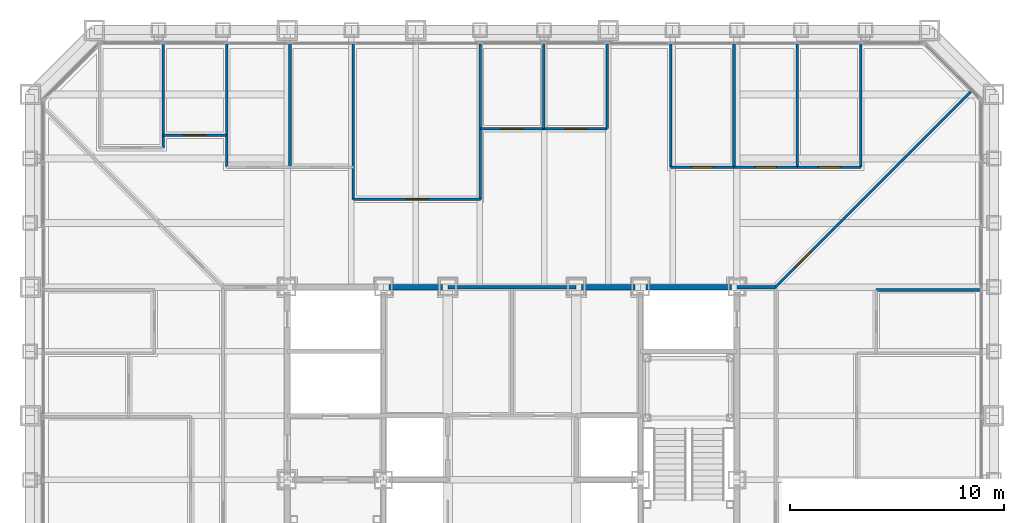
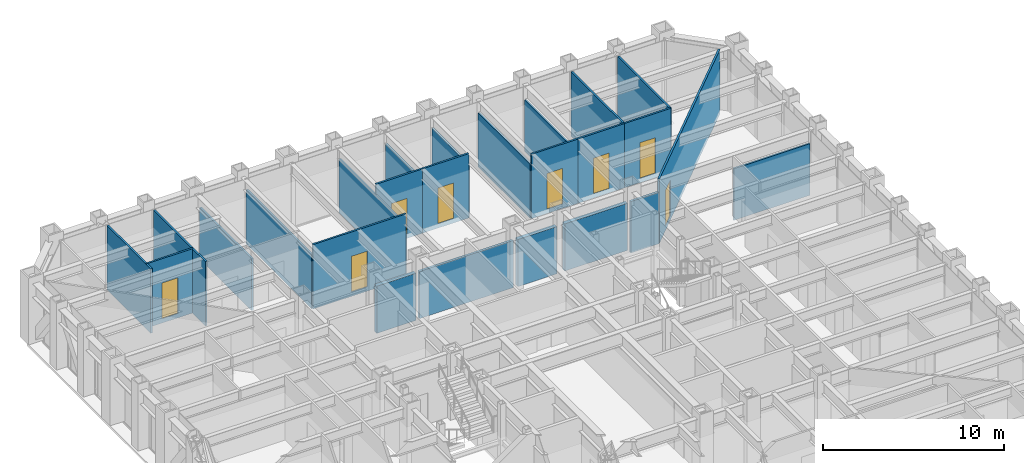
# One storey, part 11 of 17: 25 walls, 8 doors, 8 openings.
"""IFC4 building model written with IfcOpenShell, lengths in metres."""

from ifc_helpers import new_model, si_unit, direction, frame, frame_2d, origin, place, context, subcontext, project, spatial, rectangle, extrude, material, layer, layer_set, type_object, element, fill, save


model = new_model("IFC4")

# Units and contexts
model_context = context("Model", 3, precision=1e-05, world=origin(), true_north=direction((0.0, 1.0)))
body_context = subcontext(model_context, "Body", "Model", "MODEL_VIEW")
ifc_project = project(units=[si_unit("LENGTHUNIT", "METRE"), si_unit("AREAUNIT", "SQUARE_METRE"), si_unit("VOLUMEUNIT", "CUBIC_METRE"), si_unit("PLANEANGLEUNIT", "RADIAN"), si_unit("MASSUNIT", "GRAM", prefix="KILO")], contexts=[model_context])

# Site, building, storey
site_placement = place(None, origin())
site = spatial("IfcSite", under=ifc_project, at=site_placement, CompositionType="ELEMENT")
building_placement = place(site_placement, origin())
building = spatial("IfcBuilding", under=site, at=building_placement, Name="Chuquiago Exchange Tower", CompositionType="ELEMENT")
storey_placement = place(building_placement, frame((0.0, 0.0, 42.300048828125)))
storey = spatial("IfcBuildingStorey", under=building, at=storey_placement, Name="L08", CompositionType="ELEMENT", Elevation=42.300048828125)

# Walls
ifc_material_1 = material(Name="Concrete masonry, fully grouted", Category="masonry")
ifc_layer_1 = layer(ifc_material_1, 0.25)
ifc_layer_set_1 = layer_set([ifc_layer_1], Name="W1 core wall 250")
wall_type_1 = type_object("IfcWallType", Name="W1 core wall 250", PredefinedType="SOLIDWALL", material=ifc_layer_set_1)
for number, where, z_axis, x_axis, name in (
    (1, (16.75, 33.0, 0.0), (0.0, 0.0, 1.0), (1.0, 0.0, 0.0), "CW-L08-11-1"),
    (2, (25.75, 33.0, 0.0), (0.0, 0.0, 1.0), (1.0, 0.0, 0.0), "CW-L08-12-0"),
):
    element("IfcWall", number, at=place(storey_placement, frame(where, z_axis=z_axis, x_axis=x_axis)), inside=storey, type_object=wall_type_1, Name=name, PredefinedType="SOLIDWALL", context=body_context, shape_type="SweptSolid", body=[
        extrude(rectangle(XDim=2.5, YDim=0.25, at=frame_2d((1.25, 0.0))), origin(), (0.0, 0.0, 1.0), 3.181396484375),
    ])
wall_1_placement = place(storey_placement, frame((28.75, 33.0, 0.0), z_axis=(0.0, 0.0, 1.0), x_axis=(1.0, 0.0, 0.0)))
element("IfcWall", 3, at=wall_1_placement, inside=storey, type_object=wall_type_1, Name="CW-L08-12-1", PredefinedType="SOLIDWALL", context=body_context, shape_type="SweptSolid", body=[
    extrude(rectangle(XDim=4.0, YDim=0.25, at=frame_2d((2.0, 0.0))), origin(), (0.0, 0.0, 1.0), 3.181396484375),
])
ifc_material_2 = material(Name="Gypsum board on steel studs, acoustic insulation", Category="steel")
ifc_layer_2 = layer(ifc_material_2, 0.14990234375)
ifc_layer_set_2 = layer_set([ifc_layer_2], Name="W11 corridor wall 150")
wall_type_2 = type_object("IfcWallType", Name="W11 corridor wall 150", PredefinedType="PARTITIONING", material=ifc_layer_set_2)
wall_2_placement = place(storey_placement, frame((33.0, 33.0, -0.300048828125), z_axis=(0.0, 0.0, 1.0), x_axis=(1.0, 0.0, 0.0)))
element("IfcWall", 4, at=wall_2_placement, inside=storey, type_object=wall_type_2, Name="PW-L08-GEN0", PredefinedType="PARTITIONING", context=body_context, shape_type="SweptSolid", body=[
    extrude(rectangle(XDim=1.800048828125, YDim=0.14990234375, at=frame_2d((0.89990234375, 0.0))), origin(), (0.0, 0.0, 1.0), 3.4814453125),
])
ifc_material_3 = material(Name="Gypsum board on steel studs", Category="steel")
ifc_layer_3 = layer(ifc_material_3, 0.14990234375)
ifc_layer_set_3 = layer_set([ifc_layer_3], Name="W3 core partition 150")
wall_type_3 = type_object("IfcWallType", Name="W3 core partition 150", PredefinedType="PARTITIONING", material=ifc_layer_set_3)
wall_3_placement = place(storey_placement, frame((19.5, 33.0, 0.0), z_axis=(0.0, 0.0, 1.0), x_axis=(1.0, 0.0, 0.0)))
element("IfcWall", 5, at=wall_3_placement, inside=storey, type_object=wall_type_3, Name="CW-L08-TB", PredefinedType="PARTITIONING", context=body_context, shape_type="SweptSolid", body=[
    extrude(rectangle(XDim=6.0, YDim=0.14990234375, at=frame_2d((3.0, 0.0))), origin(), (0.0, 0.0, 1.0), 3.181396484375),
])
ifc_material_4 = material(Name="Gypsum board on steel studs", Category="steel")
ifc_layer_4 = layer(ifc_material_4, 0.1201171875)
ifc_layer_set_4 = layer_set([ifc_layer_4], Name="W4 partition 120")
wall_type_4 = type_object("IfcWallType", Name="W4 partition 120", PredefinedType="PARTITIONING", material=ifc_layer_set_4)
wall_4_placement = place(storey_placement, frame((44.342529296875, 32.8662109375, -0.300048828125), z_axis=(0.0, 0.0, 1.0), x_axis=(-1.0, 0.0, 0.0)))
element("IfcWall", 6, at=wall_4_placement, inside=storey, type_object=wall_type_4, Name="PW-L08-E03287", PredefinedType="PARTITIONING", context=body_context, shape_type="SweptSolid", body=[
    extrude(rectangle(XDim=4.842529296875, YDim=0.1201171875, at=frame_2d((2.42138671875, 0.0))), origin(), (0.0, 0.0, 1.0), 3.4814453125),
])
wall_5_placement = place(storey_placement, frame((6.210205078125, 44.342529296875, -0.300048828125), z_axis=(0.0, 0.0, 1.0), x_axis=(0.0, -1.0, 0.0)))
element("IfcWall", 7, at=wall_5_placement, inside=storey, type_object=wall_type_4, Name="PW-L08-N00621", PredefinedType="PARTITIONING", context=body_context, shape_type="SweptSolid", body=[
    extrude(rectangle(XDim=4.842529296875, YDim=0.1201171875, at=frame_2d((2.42138671875, 0.0))), origin(), (0.0, 0.0, 1.0), 4.340087890625),
])
wall_6_placement = place(storey_placement, frame((9.172119140625, 44.342529296875, -0.300048828125), z_axis=(0.0, 0.0, 1.0), x_axis=(0.0, -1.0, 0.0)))
element("IfcWall", 8, at=wall_6_placement, inside=storey, type_object=wall_type_4, Name="PW-L08-N00917", PredefinedType="PARTITIONING", context=body_context, shape_type="SweptSolid", body=[
    extrude(rectangle(XDim=5.742431640625, YDim=0.1201171875, at=frame_2d((2.87109375, 0.0))), origin(), (0.0, 0.0, 1.0), 4.340087890625),
])
wall_7_placement = place(storey_placement, frame((12.1337890625, 44.342529296875, -0.300048828125), z_axis=(0.0, 0.0, 1.0), x_axis=(0.0, -1.0, 0.0)))
element("IfcWall", 9, at=wall_7_placement, inside=storey, type_object=wall_type_4, Name="PW-L08-N01213", PredefinedType="PARTITIONING", context=body_context, shape_type="SweptSolid", body=[
    extrude(rectangle(XDim=5.742431640625, YDim=0.1201171875, at=frame_2d((2.87109375, 0.0))), origin(), (0.0, 0.0, 1.0), 3.4814453125),
])
for number, where, z_axis, x_axis, name in (
    (10, (15.095703125, 44.342529296875, -0.300048828125), (0.0, 0.0, 1.0), (0.0, -1.0, 0.0), "PW-L08-N01510"),
    (11, (21.01904296875, 44.342529296875, -0.300048828125), (0.0, 0.0, 1.0), (0.0, -1.0, 0.0), "PW-L08-N02102"),
):
    element("IfcWall", number, at=place(storey_placement, frame(where, z_axis=z_axis, x_axis=x_axis)), inside=storey, type_object=wall_type_4, Name=name, PredefinedType="PARTITIONING", context=body_context, shape_type="SweptSolid", body=[
        extrude(rectangle(XDim=7.242431640625, YDim=0.1201171875, at=frame_2d((3.62109375, 0.0))), origin(), (0.0, 0.0, 1.0), 3.646484375),
    ])
for number, where, z_axis, x_axis, name in (
    (12, (23.98095703125, 44.342529296875, -0.300048828125), (0.0, 0.0, 1.0), (0.0, -1.0, 0.0), "PW-L08-N02398"),
    (13, (26.942626953125, 44.342529296875, -0.300048828125), (0.0, 0.0, 1.0), (0.0, -1.0, 0.0), "PW-L08-N02694"),
):
    element("IfcWall", number, at=place(storey_placement, frame(where, z_axis=z_axis, x_axis=x_axis)), inside=storey, type_object=wall_type_4, Name=name, PredefinedType="PARTITIONING", context=body_context, shape_type="SweptSolid", body=[
        extrude(rectangle(XDim=3.942626953125, YDim=0.1201171875, at=frame_2d((1.97119140625, 0.0))), origin(), (0.0, 0.0, 1.0), 3.646484375),
    ])
wall_8_placement = place(storey_placement, frame((29.904296875, 44.342529296875, -0.300048828125), z_axis=(0.0, 0.0, 1.0), x_axis=(0.0, -1.0, 0.0)))
element("IfcWall", 14, at=wall_8_placement, inside=storey, type_object=wall_type_4, Name="PW-L08-N02990", PredefinedType="PARTITIONING", context=body_context, shape_type="SweptSolid", body=[
    extrude(rectangle(XDim=5.742431640625, YDim=0.1201171875, at=frame_2d((2.87109375, 0.0))), origin(), (0.0, 0.0, 1.0), 3.646484375),
])
wall_9_placement = place(storey_placement, frame((32.8662109375, 44.342529296875, -0.300048828125), z_axis=(0.0, 0.0, 1.0), x_axis=(0.0, -1.0, 0.0)))
element("IfcWall", 15, at=wall_9_placement, inside=storey, type_object=wall_type_4, Name="PW-L08-N03287", PredefinedType="PARTITIONING", context=body_context, shape_type="SweptSolid", body=[
    extrude(rectangle(XDim=5.742431640625, YDim=0.1201171875, at=frame_2d((2.87109375, 0.0))), origin(), (0.0, 0.0, 1.0), 3.4814453125),
])
for number, where, z_axis, x_axis, name in (
    (16, (35.827880859375, 44.342529296875, -0.300048828125), (0.0, 0.0, 1.0), (0.0, -1.0, 0.0), "PW-L08-N03583"),
    (17, (38.789794921875, 44.342529296875, -0.300048828125), (0.0, 0.0, 1.0), (0.0, -1.0, 0.0), "PW-L08-N03879"),
):
    element("IfcWall", number, at=place(storey_placement, frame(where, z_axis=z_axis, x_axis=x_axis)), inside=storey, type_object=wall_type_4, Name=name, PredefinedType="PARTITIONING", context=body_context, shape_type="SweptSolid", body=[
        extrude(rectangle(XDim=5.742431640625, YDim=0.1201171875, at=frame_2d((2.87109375, 0.0))), origin(), (0.0, 0.0, 1.0), 4.340087890625),
    ])

# Wall, opening, door
wall_10_placement = place(storey_placement, frame((6.210205078125, 40.10009765625, -0.300048828125), z_axis=(0.0, 0.0, 1.0), x_axis=(1.0, 0.0, 0.0)))
wall_10 = element("IfcWall", 18, at=wall_10_placement, inside=storey, type_object=wall_type_4, Name="PW-L08-NF00621", PredefinedType="PARTITIONING", context=body_context, shape_type="SweptSolid", body=[
    extrude(rectangle(XDim=2.9619140625, YDim=0.1201171875, at=frame_2d((1.48095703125, 0.0))), origin(), (0.0, 0.0, 1.0), 4.340087890625),
])
opening_1_placement = place(wall_10_placement, frame((0.98095703125, 0.0, 0.300048828125)))
opening_1 = element("IfcOpeningElement", 19, at=opening_1_placement, cuts=wall_10, Name="Opening L08-035", PredefinedType="OPENING", context=body_context, shape_type="SweptSolid", body=[
    extrude(rectangle(XDim=1.0, YDim=2.39990234375, at=frame_2d((0.5, 1.199951171875))), frame((0.0, 0.070068359375, 0.0), z_axis=(0.0, -1.0, 0.0), x_axis=(1.0, 0.0, 0.0)), (0.0, 0.0, 1.0), 0.14013671875),
])
ifc_material_5 = material(Name="Timber door, laminate faced", Category="wood")
door_type_1 = type_object("IfcDoorType", Name="D9 room door 1000x2400", OperationType="SINGLE_SWING_LEFT", PredefinedType="DOOR", material=ifc_material_5)
door_1_placement = place(opening_1_placement, origin())
door_1 = element("IfcDoor", 20, at=door_1_placement, inside=storey, type_object=door_type_1, Name="Store door", OperationType="SINGLE_SWING_LEFT", OverallHeight=2.39990234375, OverallWidth=1.0, PredefinedType="DOOR", context=body_context, shape_type="SweptSolid", body=[
    extrude(rectangle(XDim=1.0, YDim=2.39990234375, at=frame_2d((0.5, 1.199951171875))), frame((0.0, 0.02490234375, 0.0), z_axis=(0.0, -1.0, 0.0), x_axis=(1.0, 0.0, 0.0)), (0.0, 0.0, 1.0), 0.050048828125),
])
fill(opening_1, door_1)

wall_11_placement = place(storey_placement, frame((15.095703125, 37.10009765625, -0.300048828125), z_axis=(0.0, 0.0, 1.0), x_axis=(1.0, 0.0, 0.0)))
wall_11 = element("IfcWall", 21, at=wall_11_placement, inside=storey, type_object=wall_type_4, Name="PW-L08-NF01510", PredefinedType="PARTITIONING", context=body_context, shape_type="SweptSolid", body=[
    extrude(rectangle(XDim=5.92333984375, YDim=0.1201171875, at=frame_2d((2.961669921875, 0.0))), origin(), (0.0, 0.0, 1.0), 4.340087890625),
])
opening_2_placement = place(wall_11_placement, frame((2.4619140625, 0.0, 0.300048828125)))
opening_2 = element("IfcOpeningElement", 22, at=opening_2_placement, cuts=wall_11, Name="Opening L08-038", PredefinedType="OPENING", context=body_context, shape_type="SweptSolid", body=[
    extrude(rectangle(XDim=1.0, YDim=2.39990234375, at=frame_2d((0.5, 1.199951171875))), frame((0.0, 0.070068359375, 0.0), z_axis=(0.0, -1.0, 0.0), x_axis=(1.0, 0.0, 0.0)), (0.0, 0.0, 1.0), 0.14013671875),
])
door_2_placement = place(opening_2_placement, origin())
door_2 = element("IfcDoor", 23, at=door_2_placement, inside=storey, type_object=door_type_1, Name="Research office door", OperationType="SINGLE_SWING_RIGHT", OverallHeight=2.39990234375, OverallWidth=1.0, PredefinedType="DOOR", context=body_context, shape_type="SweptSolid", body=[
    extrude(rectangle(XDim=1.0, YDim=2.39990234375, at=frame_2d((0.5, 1.199951171875))), frame((0.0, 0.02490234375, 0.0), z_axis=(0.0, -1.0, 0.0), x_axis=(1.0, 0.0, 0.0)), (0.0, 0.0, 1.0), 0.050048828125),
])
fill(opening_2, door_2)

wall_12_placement = place(storey_placement, frame((21.01904296875, 40.39990234375, -0.300048828125), z_axis=(0.0, 0.0, 1.0), x_axis=(1.0, 0.0, 0.0)))
wall_12 = element("IfcWall", 24, at=wall_12_placement, inside=storey, type_object=wall_type_4, Name="PW-L08-NF02102", PredefinedType="PARTITIONING", context=body_context, shape_type="SweptSolid", body=[
    extrude(rectangle(XDim=2.9619140625, YDim=0.1201171875, at=frame_2d((1.48095703125, 0.0))), origin(), (0.0, 0.0, 1.0), 4.340087890625),
])
opening_3_placement = place(wall_12_placement, frame((0.98095703125, 0.0, 0.300048828125)))
opening_3 = element("IfcOpeningElement", 25, at=opening_3_placement, cuts=wall_12, Name="Opening L08-039", PredefinedType="OPENING", context=body_context, shape_type="SweptSolid", body=[
    extrude(rectangle(XDim=1.0, YDim=2.39990234375, at=frame_2d((0.5, 1.199951171875))), frame((0.0, 0.070068359375, 0.0), z_axis=(0.0, -1.0, 0.0), x_axis=(1.0, 0.0, 0.0)), (0.0, 0.0, 1.0), 0.14013671875),
])
ifc_material_6 = material(Name="Timber frame door, full height glazed panel", Category="wood")
door_type_2 = type_object("IfcDoorType", Name="D14 glazed meeting room door 1000x2400", OperationType="SINGLE_SWING_LEFT", PredefinedType="DOOR", material=ifc_material_6)
door_3_placement = place(opening_3_placement, origin())
door_3 = element("IfcDoor", 26, at=door_3_placement, inside=storey, type_object=door_type_2, Name="Focus room door", OperationType="SINGLE_SWING_RIGHT", OverallHeight=2.39990234375, OverallWidth=1.0, PredefinedType="DOOR", context=body_context, shape_type="SweptSolid", body=[
    extrude(rectangle(XDim=1.0, YDim=2.39990234375, at=frame_2d((0.5, 1.199951171875))), frame((0.0, 0.02490234375, 0.0), z_axis=(0.0, -1.0, 0.0), x_axis=(1.0, 0.0, 0.0)), (0.0, 0.0, 1.0), 0.050048828125),
])
fill(opening_3, door_3)

wall_13_placement = place(storey_placement, frame((23.98095703125, 40.39990234375, -0.300048828125), z_axis=(0.0, 0.0, 1.0), x_axis=(1.0, 0.0, 0.0)))
wall_13 = element("IfcWall", 27, at=wall_13_placement, inside=storey, type_object=wall_type_4, Name="PW-L08-NF02398", PredefinedType="PARTITIONING", context=body_context, shape_type="SweptSolid", body=[
    extrude(rectangle(XDim=2.961669921875, YDim=0.1201171875, at=frame_2d((1.48095703125, 0.0))), origin(), (0.0, 0.0, 1.0), 4.340087890625),
])
opening_4_placement = place(wall_13_placement, frame((0.98095703125, 0.0, 0.300048828125)))
opening_4 = element("IfcOpeningElement", 28, at=opening_4_placement, cuts=wall_13, Name="Opening L08-040", PredefinedType="OPENING", context=body_context, shape_type="SweptSolid", body=[
    extrude(rectangle(XDim=1.0, YDim=2.39990234375, at=frame_2d((0.5, 1.199951171875))), frame((0.0, 0.070068359375, 0.0), z_axis=(0.0, -1.0, 0.0), x_axis=(1.0, 0.0, 0.0)), (0.0, 0.0, 1.0), 0.14013671875),
])
door_4_placement = place(opening_4_placement, origin())
door_4 = element("IfcDoor", 29, at=door_4_placement, inside=storey, type_object=door_type_2, Name="Focus room door", OperationType="SINGLE_SWING_RIGHT", OverallHeight=2.39990234375, OverallWidth=1.0, PredefinedType="DOOR", context=body_context, shape_type="SweptSolid", body=[
    extrude(rectangle(XDim=1.0, YDim=2.39990234375, at=frame_2d((0.5, 1.199951171875))), frame((0.0, 0.02490234375, 0.0), z_axis=(0.0, -1.0, 0.0), x_axis=(1.0, 0.0, 0.0)), (0.0, 0.0, 1.0), 0.050048828125),
])
fill(opening_4, door_4)

wall_14_placement = place(storey_placement, frame((29.904296875, 38.60009765625, -0.300048828125), z_axis=(0.0, 0.0, 1.0), x_axis=(1.0, 0.0, 0.0)))
wall_14 = element("IfcWall", 30, at=wall_14_placement, inside=storey, type_object=wall_type_4, Name="PW-L08-NF02990", PredefinedType="PARTITIONING", context=body_context, shape_type="SweptSolid", body=[
    extrude(rectangle(XDim=2.9619140625, YDim=0.1201171875, at=frame_2d((1.48095703125, 0.0))), origin(), (0.0, 0.0, 1.0), 4.340087890625),
])
opening_5_placement = place(wall_14_placement, frame((0.98095703125, 0.0, 0.300048828125)))
opening_5 = element("IfcOpeningElement", 31, at=opening_5_placement, cuts=wall_14, Name="Opening L08-041", PredefinedType="OPENING", context=body_context, shape_type="SweptSolid", body=[
    extrude(rectangle(XDim=1.0, YDim=2.39990234375, at=frame_2d((0.5, 1.199951171875))), frame((0.0, 0.070068359375, 0.0), z_axis=(0.0, -1.0, 0.0), x_axis=(1.0, 0.0, 0.0)), (0.0, 0.0, 1.0), 0.14013671875),
])
door_5_placement = place(opening_5_placement, origin())
door_5 = element("IfcDoor", 32, at=door_5_placement, inside=storey, type_object=door_type_1, Name="Compliance office door", OperationType="SINGLE_SWING_LEFT", OverallHeight=2.39990234375, OverallWidth=1.0, PredefinedType="DOOR", context=body_context, shape_type="SweptSolid", body=[
    extrude(rectangle(XDim=1.0, YDim=2.39990234375, at=frame_2d((0.5, 1.199951171875))), frame((0.0, 0.02490234375, 0.0), z_axis=(0.0, -1.0, 0.0), x_axis=(1.0, 0.0, 0.0)), (0.0, 0.0, 1.0), 0.050048828125),
])
fill(opening_5, door_5)

wall_15_placement = place(storey_placement, frame((32.8662109375, 38.60009765625, -0.300048828125), z_axis=(0.0, 0.0, 1.0), x_axis=(1.0, 0.0, 0.0)))
wall_15 = element("IfcWall", 33, at=wall_15_placement, inside=storey, type_object=wall_type_4, Name="PW-L08-NF03287", PredefinedType="PARTITIONING", context=body_context, shape_type="SweptSolid", body=[
    extrude(rectangle(XDim=2.961669921875, YDim=0.1201171875, at=frame_2d((1.48095703125, 0.0))), origin(), (0.0, 0.0, 1.0), 4.340087890625),
])
opening_6_placement = place(wall_15_placement, frame((0.98095703125, 0.0, 0.300048828125)))
opening_6 = element("IfcOpeningElement", 34, at=opening_6_placement, cuts=wall_15, Name="Opening L08-042", PredefinedType="OPENING", context=body_context, shape_type="SweptSolid", body=[
    extrude(rectangle(XDim=1.0, YDim=2.39990234375, at=frame_2d((0.5, 1.199951171875))), frame((0.0, 0.070068359375, 0.0), z_axis=(0.0, -1.0, 0.0), x_axis=(1.0, 0.0, 0.0)), (0.0, 0.0, 1.0), 0.14013671875),
])
door_6_placement = place(opening_6_placement, origin())
door_6 = element("IfcDoor", 35, at=door_6_placement, inside=storey, type_object=door_type_1, Name="Compliance office door", OperationType="SINGLE_SWING_RIGHT", OverallHeight=2.39990234375, OverallWidth=1.0, PredefinedType="DOOR", context=body_context, shape_type="SweptSolid", body=[
    extrude(rectangle(XDim=1.0, YDim=2.39990234375, at=frame_2d((0.5, 1.199951171875))), frame((0.0, 0.02490234375, 0.0), z_axis=(0.0, -1.0, 0.0), x_axis=(1.0, 0.0, 0.0)), (0.0, 0.0, 1.0), 0.050048828125),
])
fill(opening_6, door_6)

wall_16_placement = place(storey_placement, frame((35.827880859375, 38.60009765625, -0.300048828125), z_axis=(0.0, 0.0, 1.0), x_axis=(1.0, 0.0, 0.0)))
wall_16 = element("IfcWall", 36, at=wall_16_placement, inside=storey, type_object=wall_type_4, Name="PW-L08-NF03583", PredefinedType="PARTITIONING", context=body_context, shape_type="SweptSolid", body=[
    extrude(rectangle(XDim=2.9619140625, YDim=0.1201171875, at=frame_2d((1.48095703125, 0.0))), origin(), (0.0, 0.0, 1.0), 4.340087890625),
])
opening_7_placement = place(wall_16_placement, frame((0.98095703125, 0.0, 0.300048828125)))
opening_7 = element("IfcOpeningElement", 37, at=opening_7_placement, cuts=wall_16, Name="Opening L08-043", PredefinedType="OPENING", context=body_context, shape_type="SweptSolid", body=[
    extrude(rectangle(XDim=1.0, YDim=2.39990234375, at=frame_2d((0.5, 1.199951171875))), frame((0.0, 0.070068359375, 0.0), z_axis=(0.0, -1.0, 0.0), x_axis=(1.0, 0.0, 0.0)), (0.0, 0.0, 1.0), 0.14013671875),
])
door_7_placement = place(opening_7_placement, origin())
door_7 = element("IfcDoor", 38, at=door_7_placement, inside=storey, type_object=door_type_1, Name="Office door", OperationType="SINGLE_SWING_LEFT", OverallHeight=2.39990234375, OverallWidth=1.0, PredefinedType="DOOR", context=body_context, shape_type="SweptSolid", body=[
    extrude(rectangle(XDim=1.0, YDim=2.39990234375, at=frame_2d((0.5, 1.199951171875))), frame((0.0, 0.02490234375, 0.0), z_axis=(0.0, -1.0, 0.0), x_axis=(1.0, 0.0, 0.0)), (0.0, 0.0, 1.0), 0.050048828125),
])
fill(opening_7, door_7)

wall_17_placement = place(storey_placement, frame((34.800048828125, 33.0, -0.300048828125), z_axis=(0.0, 0.0, 1.0), x_axis=(0.707106781187, 0.707106781187, 0.0)))
wall_17 = element("IfcWall", 39, at=wall_17_placement, inside=storey, type_object=wall_type_4, Name="PW-L08-QNE", PredefinedType="PARTITIONING", context=body_context, shape_type="SweptSolid", body=[
    extrude(rectangle(XDim=12.9443359375, YDim=0.1201171875, at=frame_2d((6.47216796875, 0.0))), origin(), (0.0, 0.0, 1.0), 4.340087890625),
])
opening_8_placement = place(wall_17_placement, frame((1.300048828125, 0.0, 0.300048828125)))
opening_8 = element("IfcOpeningElement", 40, at=opening_8_placement, cuts=wall_17, Name="Opening L08-054", PredefinedType="OPENING", context=body_context, shape_type="SweptSolid", body=[
    extrude(rectangle(XDim=1.0, YDim=2.39990234375, at=frame_2d((0.5, 1.199951171875))), frame((0.0, 0.070068359375, 0.0), z_axis=(0.0, -1.0, 0.0), x_axis=(1.0, 0.0, 0.0)), (0.0, 0.0, 1.0), 0.14013671875),
])
door_8_placement = place(opening_8_placement, frame((1.0, 0.0, 0.0), z_axis=(0.0, 0.0, 1.0), x_axis=(-1.0, 0.0, 0.0)))
door_8 = element("IfcDoor", 41, at=door_8_placement, inside=storey, type_object=door_type_1, Name="Team area door", OperationType="SINGLE_SWING_RIGHT", OverallHeight=2.39990234375, OverallWidth=1.0, PredefinedType="DOOR", context=body_context, shape_type="SweptSolid", body=[
    extrude(rectangle(XDim=1.0, YDim=2.39990234375, at=frame_2d((0.5, 1.199951171875))), frame((0.0, 0.02490234375, 0.0), z_axis=(0.0, -1.0, 0.0), x_axis=(1.0, 0.0, 0.0)), (0.0, 0.0, 1.0), 0.050048828125),
])
fill(opening_8, door_8)

save(model, "model.ifc")
